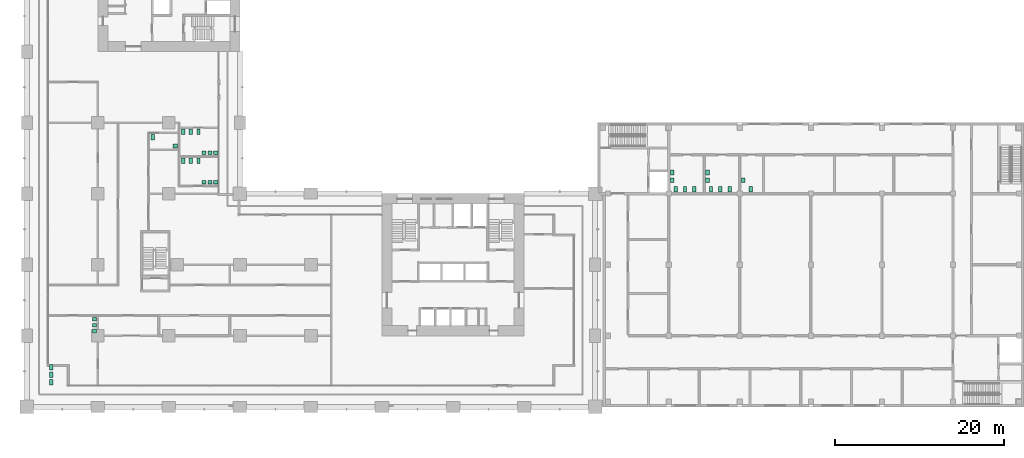
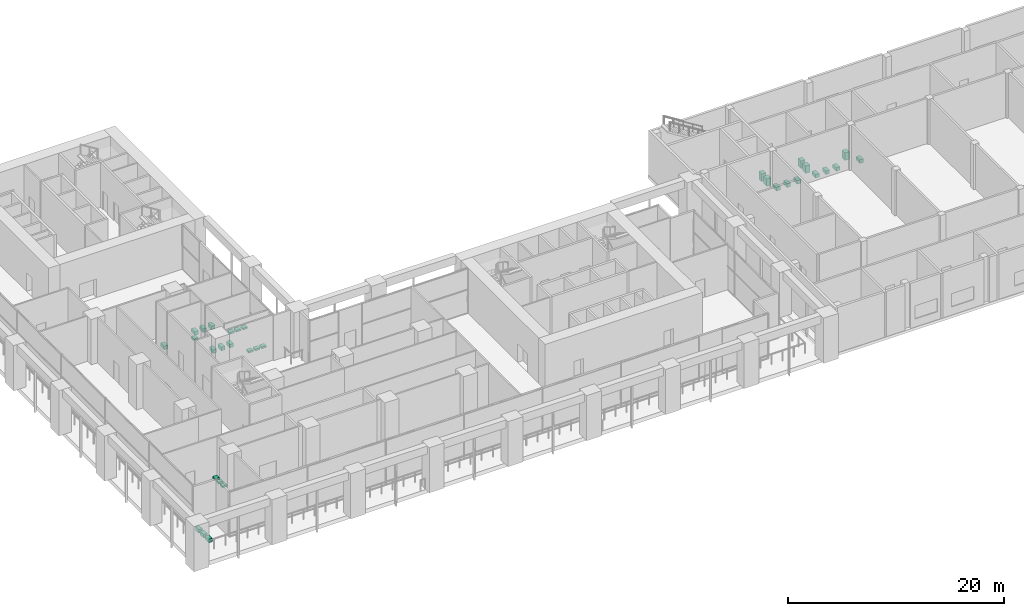
# One storey, part 33 of 33: 32 sanitary terminals.
"""IFC4 building model written with IfcOpenShell, lengths in metres."""

from ifc_helpers import new_model, si_unit, direction, frame, origin, origin_2d, place, context, subcontext, project, spatial, rectangle, extrude, material, element, save


model = new_model("IFC4")

# Units and contexts
model_context = context("Model", 3, precision=1e-05, world=origin(), true_north=direction((0.0, 1.0)))
body_context = subcontext(model_context, "Body", "Model", "MODEL_VIEW")
ifc_project = project(units=[si_unit("LENGTHUNIT", "METRE"), si_unit("AREAUNIT", "SQUARE_METRE"), si_unit("VOLUMEUNIT", "CUBIC_METRE"), si_unit("PLANEANGLEUNIT", "RADIAN"), si_unit("MASSUNIT", "GRAM", prefix="KILO")], contexts=[model_context])

# Site, building, storey
site_placement = place(None, origin())
site = spatial("IfcSite", under=ifc_project, at=site_placement, CompositionType="ELEMENT")
building_placement = place(site_placement, origin())
building = spatial("IfcBuilding", under=site, at=building_placement, Name="Vermilion Gate Residences", CompositionType="ELEMENT")
storey_placement = place(building_placement, frame((0.0, 0.0, 14.39990234375)))
storey = spatial("IfcBuildingStorey", under=building, at=storey_placement, Name="L02", CompositionType="ELEMENT", Elevation=14.39990234375)

# Sanitary terminals
ifc_material = material(Name="Vitreous china")
for number, where, z_axis, x_axis, name in (
    (1, (2.89990234375, 2.89990234375, 0.000244140625), (0.0, 0.0, 1.0), (1.0, 0.0, 0.0), "Water closet 1"),
    (2, (2.89990234375, 3.800048828125, 0.000244140625), (0.0, 0.0, 1.0), (1.0, 0.0, 0.0), "Water closet 2"),
    (3, (2.89990234375, 4.699951171875, 0.000244140625), (0.0, 0.0, 1.0), (1.0, 0.0, 0.0), "Water closet 3"),
):
    element("IfcSanitaryTerminal", number, at=place(storey_placement, frame(where, z_axis=z_axis, x_axis=x_axis)), inside=storey, material=ifc_material, Name=name, PredefinedType="TOILETPAN", context=body_context, shape_type="SweptSolid", body=[
        extrude(rectangle(XDim=0.39990234375, YDim=0.64990234375, at=origin_2d()), origin(), (0.0, 0.0, 1.0), 0.39990234375),
    ])
for number, where, z_axis, x_axis, name in (
    (4, (8.0, 10.35009765625, 0.7001953125), (0.0, 0.0, 1.0), (1.0, 0.0, 0.0), "Wash basin 4"),
    (5, (8.0, 9.64990234375, 0.7001953125), (0.0, 0.0, 1.0), (1.0, 0.0, 0.0), "Wash basin 5"),
    (6, (8.0, 8.949951171875, 0.7001953125), (0.0, 0.0, 1.0), (1.0, 0.0, 0.0), "Wash basin 6"),
):
    element("IfcSanitaryTerminal", number, at=place(storey_placement, frame(where, z_axis=z_axis, x_axis=x_axis)), inside=storey, material=ifc_material, Name=name, PredefinedType="WASHHANDBASIN", context=body_context, shape_type="SweptSolid", body=[
        extrude(rectangle(XDim=0.5, YDim=0.449951171875, at=origin_2d()), origin(), (0.0, 0.0, 1.0), 0.199951171875),
    ])
for number, where, z_axis, x_axis, name in (
    (7, (18.5, 29.10009765625, 0.000244140625), (0.0, 0.0, 1.0), (1.0, 0.0, 0.0), "Water closet 7"),
    (8, (19.39990234375, 29.10009765625, 0.000244140625), (0.0, 0.0, 1.0), (1.0, 0.0, 0.0), "Water closet 8"),
    (9, (20.300048828125, 29.10009765625, 0.000244140625), (0.0, 0.0, 1.0), (1.0, 0.0, 0.0), "Water closet 9"),
):
    element("IfcSanitaryTerminal", number, at=place(storey_placement, frame(where, z_axis=z_axis, x_axis=x_axis)), inside=storey, material=ifc_material, Name=name, PredefinedType="TOILETPAN", context=body_context, shape_type="SweptSolid", body=[
        extrude(rectangle(XDim=0.39990234375, YDim=0.64990234375, at=origin_2d()), origin(), (0.0, 0.0, 1.0), 0.39990234375),
    ])
for number, where, z_axis, x_axis, name in (
    (10, (22.35009765625, 26.550048828125, 0.7001953125), (0.0, 0.0, 1.0), (1.0, 0.0, 0.0), "Wash basin 10"),
    (11, (21.64990234375, 26.550048828125, 0.7001953125), (0.0, 0.0, 1.0), (1.0, 0.0, 0.0), "Wash basin 11"),
    (12, (20.949951171875, 26.550048828125, 0.7001953125), (0.0, 0.0, 1.0), (1.0, 0.0, 0.0), "Wash basin 12"),
):
    element("IfcSanitaryTerminal", number, at=place(storey_placement, frame(where, z_axis=z_axis, x_axis=x_axis)), inside=storey, material=ifc_material, Name=name, PredefinedType="WASHHANDBASIN", context=body_context, shape_type="SweptSolid", body=[
        extrude(rectangle(XDim=0.5, YDim=0.449951171875, at=origin_2d()), origin(), (0.0, 0.0, 1.0), 0.199951171875),
    ])
for number, where, z_axis, x_axis, name in (
    (13, (18.5, 32.5, 0.000244140625), (0.0, 0.0, 1.0), (1.0, 0.0, 0.0), "Water closet 13"),
    (14, (19.39990234375, 32.5, 0.000244140625), (0.0, 0.0, 1.0), (1.0, 0.0, 0.0), "Water closet 14"),
    (15, (20.300048828125, 32.5, 0.000244140625), (0.0, 0.0, 1.0), (1.0, 0.0, 0.0), "Water closet 15"),
):
    element("IfcSanitaryTerminal", number, at=place(storey_placement, frame(where, z_axis=z_axis, x_axis=x_axis)), inside=storey, material=ifc_material, Name=name, PredefinedType="TOILETPAN", context=body_context, shape_type="SweptSolid", body=[
        extrude(rectangle(XDim=0.39990234375, YDim=0.64990234375, at=origin_2d()), origin(), (0.0, 0.0, 1.0), 0.39990234375),
    ])
for number, where, z_axis, x_axis, name in (
    (16, (22.35009765625, 30.050048828125, 0.7001953125), (0.0, 0.0, 1.0), (1.0, 0.0, 0.0), "Wash basin 16"),
    (17, (21.64990234375, 30.050048828125, 0.7001953125), (0.0, 0.0, 1.0), (1.0, 0.0, 0.0), "Wash basin 17"),
    (18, (20.949951171875, 30.050048828125, 0.7001953125), (0.0, 0.0, 1.0), (1.0, 0.0, 0.0), "Wash basin 18"),
):
    element("IfcSanitaryTerminal", number, at=place(storey_placement, frame(where, z_axis=z_axis, x_axis=x_axis)), inside=storey, material=ifc_material, Name=name, PredefinedType="WASHHANDBASIN", context=body_context, shape_type="SweptSolid", body=[
        extrude(rectangle(XDim=0.5, YDim=0.449951171875, at=origin_2d()), origin(), (0.0, 0.0, 1.0), 0.199951171875),
    ])
sanitary_terminal_1_placement = place(storey_placement, frame((14.89990234375, 31.89990234375, 0.000244140625), z_axis=(0.0, 0.0, 1.0), x_axis=(1.0, 0.0, 0.0)))
element("IfcSanitaryTerminal", 19, at=sanitary_terminal_1_placement, inside=storey, material=ifc_material, Name="Water closet 19", PredefinedType="TOILETPAN", context=body_context, shape_type="SweptSolid", body=[
    extrude(rectangle(XDim=0.39990234375, YDim=0.64990234375, at=origin_2d()), origin(), (0.0, 0.0, 1.0), 0.39990234375),
])
sanitary_terminal_2_placement = place(storey_placement, frame((17.550048828125, 30.85009765625, 0.7001953125), z_axis=(0.0, 0.0, 1.0), x_axis=(1.0, 0.0, 0.0)))
element("IfcSanitaryTerminal", 20, at=sanitary_terminal_2_placement, inside=storey, material=ifc_material, Name="Wash basin 20", PredefinedType="WASHHANDBASIN", context=body_context, shape_type="SweptSolid", body=[
    extrude(rectangle(XDim=0.5, YDim=0.449951171875, at=origin_2d()), origin(), (0.0, 0.0, 1.0), 0.199951171875),
])
for number, where, z_axis, x_axis, name in (
    (21, (76.72509765625, 25.75, 0.000244140625), (0.0, 0.0, 1.0), (1.0, 0.0, 0.0), "WC pan Men's WC 1"),
    (22, (77.824951171875, 25.75, 0.000244140625), (0.0, 0.0, 1.0), (1.0, 0.0, 0.0), "WC pan Men's WC 2"),
    (23, (78.925048828125, 25.75, 0.000244140625), (0.0, 0.0, 1.0), (1.0, 0.0, 0.0), "WC pan Men's WC 3"),
):
    element("IfcSanitaryTerminal", number, at=place(storey_placement, frame(where, z_axis=z_axis, x_axis=x_axis)), inside=storey, material=ifc_material, Name=name, PredefinedType="TOILETPAN", context=body_context, shape_type="SweptSolid", body=[
        extrude(rectangle(XDim=0.39990234375, YDim=0.64990234375, at=origin_2d()), origin(), (0.0, 0.0, 1.0), 0.39990234375),
    ])
for number, where, z_axis, x_axis, name in (
    (24, (76.324951171875, 26.800048828125, 0.0), (0.0, 0.0, 1.0), (1.0, 0.0, 0.0), "Basin Men's WC 1"),
    (25, (76.324951171875, 27.699951171875, 0.0), (0.0, 0.0, 1.0), (1.0, 0.0, 0.0), "Basin Men's WC 2"),
):
    element("IfcSanitaryTerminal", number, at=place(storey_placement, frame(where, z_axis=z_axis, x_axis=x_axis)), inside=storey, material=ifc_material, Name=name, PredefinedType="WASHHANDBASIN", context=body_context, shape_type="SweptSolid", body=[
        extrude(rectangle(XDim=0.449951171875, YDim=0.550048828125, at=origin_2d()), origin(), (0.0, 0.0, 1.0), 0.85009765625),
    ])
for number, where, z_axis, x_axis, name in (
    (26, (80.89990234375, 25.75, 0.000244140625), (0.0, 0.0, 1.0), (1.0, 0.0, 0.0), "WC pan Women's WC 1"),
    (27, (82.0, 25.75, 0.000244140625), (0.0, 0.0, 1.0), (1.0, 0.0, 0.0), "WC pan Women's WC 2"),
    (28, (83.10009765625, 25.75, 0.000244140625), (0.0, 0.0, 1.0), (1.0, 0.0, 0.0), "WC pan Women's WC 3"),
):
    element("IfcSanitaryTerminal", number, at=place(storey_placement, frame(where, z_axis=z_axis, x_axis=x_axis)), inside=storey, material=ifc_material, Name=name, PredefinedType="TOILETPAN", context=body_context, shape_type="SweptSolid", body=[
        extrude(rectangle(XDim=0.39990234375, YDim=0.64990234375, at=origin_2d()), origin(), (0.0, 0.0, 1.0), 0.39990234375),
    ])
for number, where, z_axis, x_axis, name in (
    (29, (80.5, 26.800048828125, 0.0), (0.0, 0.0, 1.0), (1.0, 0.0, 0.0), "Basin Women's WC 1"),
    (30, (80.5, 27.699951171875, 0.0), (0.0, 0.0, 1.0), (1.0, 0.0, 0.0), "Basin Women's WC 2"),
):
    element("IfcSanitaryTerminal", number, at=place(storey_placement, frame(where, z_axis=z_axis, x_axis=x_axis)), inside=storey, material=ifc_material, Name=name, PredefinedType="WASHHANDBASIN", context=body_context, shape_type="SweptSolid", body=[
        extrude(rectangle(XDim=0.449951171875, YDim=0.550048828125, at=origin_2d()), origin(), (0.0, 0.0, 1.0), 0.85009765625),
    ])
sanitary_terminal_3_placement = place(storey_placement, frame((85.60009765625, 25.75, 0.000244140625), z_axis=(0.0, 0.0, 1.0), x_axis=(1.0, 0.0, 0.0)))
element("IfcSanitaryTerminal", 31, at=sanitary_terminal_3_placement, inside=storey, material=ifc_material, Name="WC pan Accessible WC 1", PredefinedType="TOILETPAN", context=body_context, shape_type="SweptSolid", body=[
    extrude(rectangle(XDim=0.39990234375, YDim=0.64990234375, at=origin_2d()), origin(), (0.0, 0.0, 1.0), 0.39990234375),
])
sanitary_terminal_4_placement = place(storey_placement, frame((84.699951171875, 26.800048828125, 0.0), z_axis=(0.0, 0.0, 1.0), x_axis=(1.0, 0.0, 0.0)))
element("IfcSanitaryTerminal", 32, at=sanitary_terminal_4_placement, inside=storey, material=ifc_material, Name="Basin Accessible WC 1", PredefinedType="WASHHANDBASIN", context=body_context, shape_type="SweptSolid", body=[
    extrude(rectangle(XDim=0.449951171875, YDim=0.550048828125, at=origin_2d()), origin(), (0.0, 0.0, 1.0), 0.85009765625),
])

save(model, "model.ifc")
